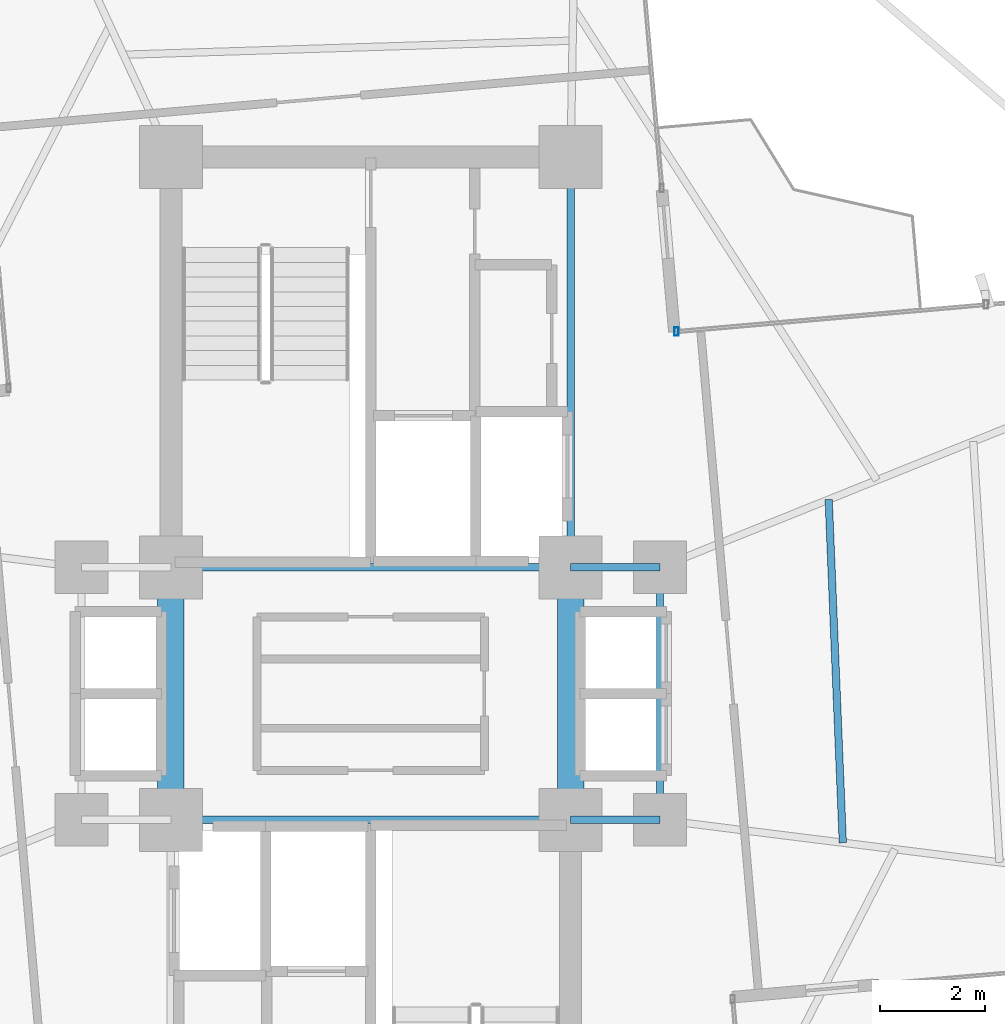
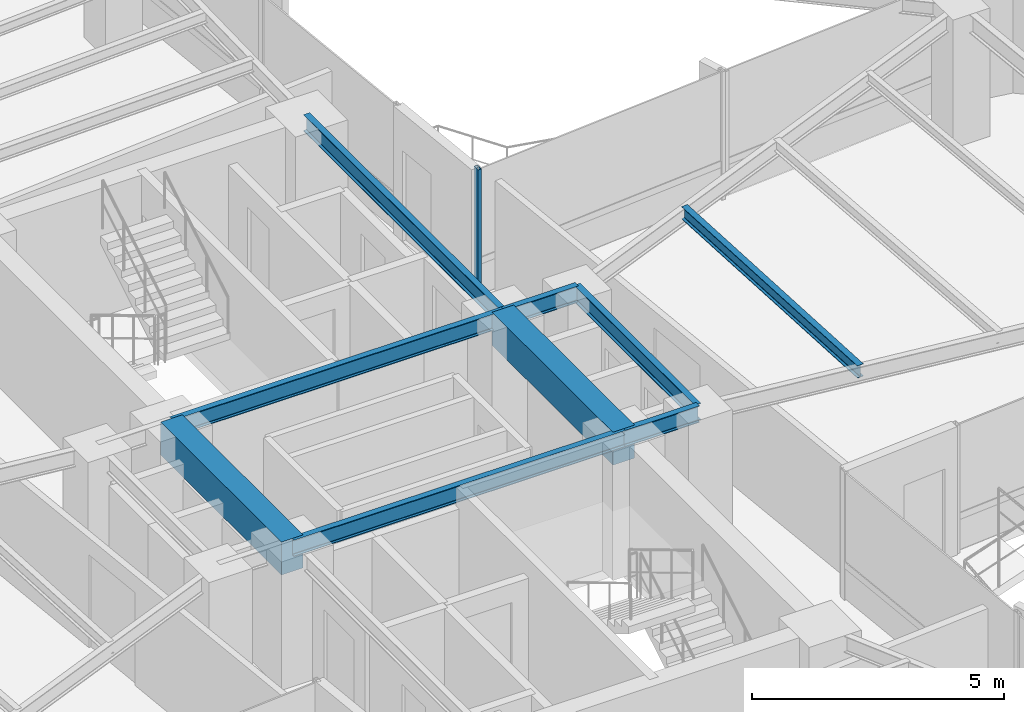
# One storey, part 11 of 24: 9 beams, 1 member, 1 element without a shape of its own.
"""IFC4 building model written with IfcOpenShell, lengths in metres."""

from ifc_helpers import new_model, si_unit, direction, frame, origin, origin_2d, place, context, subcontext, project, spatial, rectangle, hollow_rectangle, i_section, extrude, source, transform, mapped, material, material_profile, profile_set, type_object, element, aggregate, save


model = new_model("IFC4")

# Units and contexts
model_context = context("Model", 3, precision=1e-05, world=origin(), true_north=direction((0.0, 1.0)))
body_context = subcontext(model_context, "Body", "Model", "MODEL_VIEW")
ifc_project = project(units=[si_unit("LENGTHUNIT", "METRE"), si_unit("AREAUNIT", "SQUARE_METRE"), si_unit("VOLUMEUNIT", "CUBIC_METRE"), si_unit("PLANEANGLEUNIT", "RADIAN"), si_unit("MASSUNIT", "GRAM", prefix="KILO")], contexts=[model_context])

# Site, building, storey
site_placement = place(None, origin())
site = spatial("IfcSite", under=ifc_project, at=site_placement, CompositionType="ELEMENT")
building_placement = place(site_placement, origin())
building = spatial("IfcBuilding", under=site, at=building_placement, Name="Sahyath Konkavel Grand Hotel", CompositionType="ELEMENT")
storey_placement = place(building_placement, frame((0.0, 0.0, 160.64990234375)))
storey = spatial("IfcBuildingStorey", under=building, at=storey_placement, Name="L44", CompositionType="ELEMENT", Elevation=160.64990234375)

# Beams
ifc_material_1 = material(Name="Steel E350", Category="steel")
ifc_material_profile_1 = material_profile(ifc_material_1, i_section(OverallWidth=0.139892578125, OverallDepth=0.39990234375, WebThickness=0.0087890625, FlangeThickness=0.01611328125, FilletRadius=0.013916015625, at=origin_2d()), Name="ISMB 400")
ifc_profile_set_1 = profile_set([ifc_material_profile_1], Name="Steel E350")
beam_type_1 = type_object("IfcBeamType", Name="BM-ISMB400", PredefinedType="BEAM", material=ifc_profile_set_1)
shared_shape_1 = source(origin(), body_context, "Body", "SweptSolid", [
    extrude(i_section(OverallWidth=0.139892578125, OverallDepth=0.39990234375, WebThickness=0.0087890625, FlangeThickness=0.01611328125, FilletRadius=0.013916015625, at=origin_2d()), origin(), (0.0, 0.0, 1.0), 7.60009765625),
])
for number, where, z_axis, x_axis, name in (
    (1, (-3.800048828125, 2.39990234375, 2.91015625), (1.0, 0.0, 0.0), (0.0, 1.0, 0.0), "str:bm:L44:NC-S"),
    (2, (-3.800048828125, -2.39990234375, 2.91015625), (1.0, 0.0, 0.0), (0.0, 1.0, 0.0), "str:bm:L44:SC-N"),
):
    element("IfcBeam", number, at=place(storey_placement, frame(where, z_axis=z_axis, x_axis=x_axis)), inside=storey, type_object=beam_type_1, Name=name, PredefinedType="BEAM", context=body_context, shape_type="MappedRepresentation", body=[
        mapped(shared_shape_1, transform((0.0, 0.0, 0.0), scale=1.0)),
    ])
shared_shape_2 = source(origin(), body_context, "Body", "SweptSolid", [
    extrude(i_section(OverallWidth=0.139892578125, OverallDepth=0.39990234375, WebThickness=0.0087890625, FlangeThickness=0.01611328125, FilletRadius=0.013916015625, at=origin_2d()), origin(), (0.0, 0.0, 1.0), 7.800048828125),
])
beam_1_placement = place(storey_placement, frame((3.800048828125, 2.39990234375, 2.91015625), z_axis=(0.0, 1.0, 0.0), x_axis=(-1.0, 0.0, 0.0)))
element("IfcBeam", 3, at=beam_1_placement, inside=storey, type_object=beam_type_1, Name="str:bm:L44:NC-E", PredefinedType="BEAM", context=body_context, shape_type="MappedRepresentation", body=[
    mapped(shared_shape_2, transform((0.0, 0.0, 0.0), scale=1.0)),
])
shared_shape_3 = source(origin(), body_context, "Body", "SweptSolid", [
    extrude(i_section(OverallWidth=0.139892578125, OverallDepth=0.39990234375, WebThickness=0.0087890625, FlangeThickness=0.01611328125, FilletRadius=0.013916015625, at=origin_2d()), origin(), (0.0, 0.0, 1.0), 1.699951171875),
])
for number, where, z_axis, x_axis, name in (
    (4, (3.800048828125, 2.39990234375, 2.91015625), (1.0, 0.0, 0.0), (0.0, 1.0, 0.0), "str:bm:L44:HB-NE"),
    (5, (3.800048828125, -2.39990234375, 2.91015625), (1.0, 0.0, 0.0), (0.0, 1.0, 0.0), "str:bm:L44:HB-SE"),
):
    element("IfcBeam", number, at=place(storey_placement, frame(where, z_axis=z_axis, x_axis=x_axis)), inside=storey, type_object=beam_type_1, Name=name, PredefinedType="BEAM", context=body_context, shape_type="MappedRepresentation", body=[
        mapped(shared_shape_3, transform((0.0, 0.0, 0.0), scale=1.0)),
    ])
shared_shape_4 = source(origin(), body_context, "Body", "SweptSolid", [
    extrude(i_section(OverallWidth=0.139892578125, OverallDepth=0.39990234375, WebThickness=0.0087890625, FlangeThickness=0.01611328125, FilletRadius=0.013916015625, at=origin_2d()), origin(), (0.0, 0.0, 1.0), 4.7998046875),
])
beam_2_placement = place(storey_placement, frame((5.5, -2.39990234375, 2.91015625), z_axis=(0.0, 1.0, 0.0), x_axis=(-1.0, 0.0, 0.0)))
element("IfcBeam", 6, at=beam_2_placement, inside=storey, type_object=beam_type_1, Name="str:bm:L44:HB-E", PredefinedType="BEAM", context=body_context, shape_type="MappedRepresentation", body=[
    mapped(shared_shape_4, transform((0.0, 0.0, 0.0), scale=1.0)),
])
ifc_material_2 = material(Name="Concrete C50/60", Category="concrete")
ifc_material_profile_2 = material_profile(ifc_material_2, rectangle(XDim=0.5, YDim=0.800048828125, at=origin_2d()), Name="RC 500x800")
ifc_profile_set_2 = profile_set([ifc_material_profile_2], Name="Concrete C50/60")
beam_type_2 = type_object("IfcBeamType", Name="BM-CB500x800", PredefinedType="LINTEL", material=ifc_profile_set_2)
shared_shape_5 = source(origin(), body_context, "Body", "SweptSolid", [
    extrude(rectangle(XDim=0.5, YDim=0.800048828125, at=origin_2d()), origin(), (0.0, 0.0, 1.0), 4.7998046875),
])
for number, where, z_axis, x_axis, name in (
    (7, (-3.800048828125, -2.39990234375, 2.710205078125), (0.0, 1.0, 0.0), (-1.0, 0.0, 0.0), "L44 Split-Core Coupling Beam West"),
    (8, (3.800048828125, -2.39990234375, 2.710205078125), (0.0, 1.0, 0.0), (-1.0, 0.0, 0.0), "L44 Split-Core Coupling Beam East"),
):
    element("IfcBeam", number, at=place(storey_placement, frame(where, z_axis=z_axis, x_axis=x_axis)), inside=storey, type_object=beam_type_2, Name=name, PredefinedType="LINTEL", context=body_context, shape_type="MappedRepresentation", body=[
        mapped(shared_shape_5, transform((0.0, 0.0, 0.0), scale=1.0)),
    ])
ifc_material_profile_3 = material_profile(ifc_material_1, i_section(OverallWidth=0.139892578125, OverallDepth=0.300048828125, WebThickness=0.0078125, FlangeThickness=0.01318359375, FilletRadius=0.013916015625, at=origin_2d()), Name="ISMB 300")
ifc_profile_set_3 = profile_set([ifc_material_profile_3], Name="Steel E350")
beam_type_3 = type_object("IfcBeamType", Name="BM-ISMB300", PredefinedType="BEAM", material=ifc_profile_set_3)
shared_shape_6 = source(origin(), body_context, "Body", "SweptSolid", [
    extrude(i_section(OverallWidth=0.139892578125, OverallDepth=0.300048828125, WebThickness=0.0078125, FlangeThickness=0.01318359375, FilletRadius=0.013916015625, at=origin_2d()), origin(), (0.0, 0.0, 1.0), 6.530029296875),
])
beam_3_placement = place(storey_placement, frame((8.9755859375, -2.835205078125, 2.960205078125), z_axis=(-0.04112667768, 0.999153940283, 0.0), x_axis=(-0.999153940283, -0.04112667768, 0.0)))
element("IfcBeam", 9, at=beam_3_placement, inside=storey, type_object=beam_type_3, Name="L44 Secondary Floor Beam E-1", PredefinedType="BEAM", context=body_context, shape_type="MappedRepresentation", body=[
    mapped(shared_shape_6, transform((0.0, 0.0, 0.0), scale=1.0)),
])

# Curtain wall, member
ifc_material_3 = material(Name="Anodised Bronze Aluminium & Low-E Glazing", Category="aluminium")
curtain_wall_type = type_object("IfcCurtainWallType", Name="CW-ZONE3", PredefinedType="NOTDEFINED", material=ifc_material_3)
curtain_wall_placement = place(storey_placement, origin())
curtain_wall = element("IfcCurtainWall", 10, at=curtain_wall_placement, inside=storey, type_object=curtain_wall_type, Name="L44 Unitised Curtain Wall F7", PredefinedType="NOTDEFINED")
ifc_material_4 = material(Name="Anodised Bronze Aluminium", Category="aluminium")
ifc_material_profile_4 = material_profile(ifc_material_4, hollow_rectangle(XDim=0.080078125, YDim=0.159912109375, WallThickness=0.006103515625, at=origin_2d()), Name="RHS 160x80x6")
ifc_profile_set_4 = profile_set([ifc_material_profile_4], Name="Anodised Bronze Aluminium")
member_type = type_object("IfcMemberType", Name="CW-MUL-160", PredefinedType="MULLION", material=ifc_profile_set_4)
shared_shape_7 = source(origin(), body_context, "Body", "SweptSolid", [
    extrude(hollow_rectangle(XDim=0.080078125, YDim=0.159912109375, WallThickness=0.006103515625, at=origin_2d()), origin(), (0.0, 0.0, 1.0), 3.110107421875),
])
member_placement = place(storey_placement, frame((5.812255859375, 6.8828125, 0.0), z_axis=(0.0, 0.0, 1.0), x_axis=(1.0, 0.0, 0.0)))
member = element("IfcMember", 11, at=member_placement, type_object=member_type, Name="L44 Curtain Wall Mullion F7-2", PredefinedType="MULLION", context=body_context, shape_type="MappedRepresentation", body=[
    mapped(shared_shape_7, transform((0.0, 0.0, 0.0), scale=1.0)),
])
aggregate(curtain_wall, [member])

save(model, "model.ifc")
